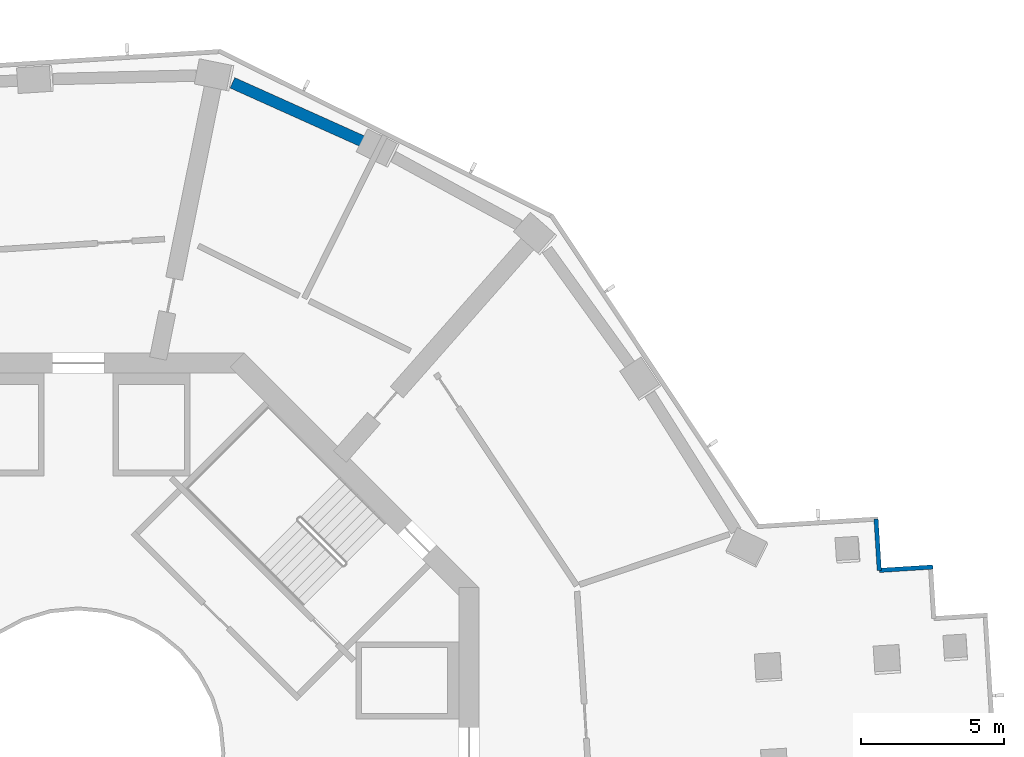
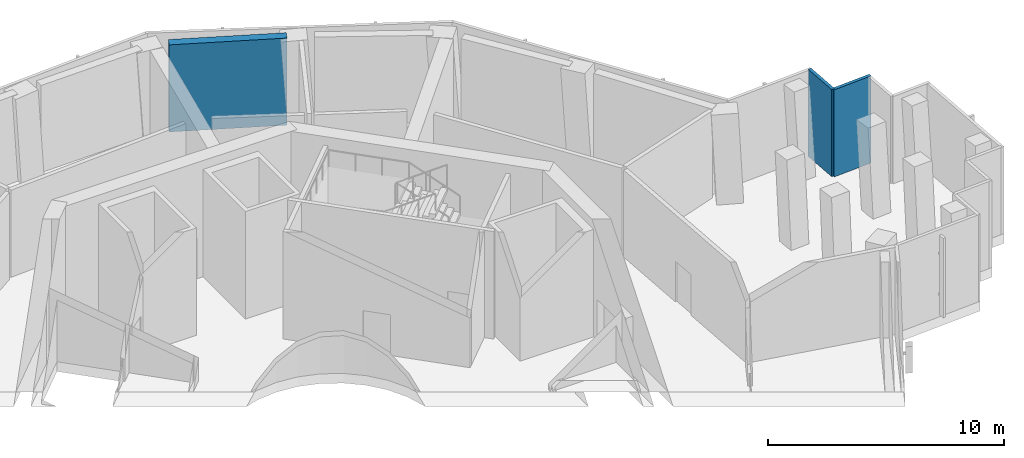
# One storey, part 5 of 16: 3 walls.
"""IFC4 building model written with IfcOpenShell, lengths in metres."""

from ifc_helpers import new_model, si_unit, direction, frame, frame_2d, origin, place, context, subcontext, project, spatial, rectangle, extrude, material, layer, layer_set, type_object, element, save


model = new_model("IFC4")

# Units and contexts
model_context = context("Model", 3, precision=1e-05, world=origin(), true_north=direction((0.0, 1.0)))
body_context = subcontext(model_context, "Body", "Model", "MODEL_VIEW")
ifc_project = project(units=[si_unit("LENGTHUNIT", "METRE"), si_unit("AREAUNIT", "SQUARE_METRE"), si_unit("VOLUMEUNIT", "CUBIC_METRE"), si_unit("PLANEANGLEUNIT", "RADIAN"), si_unit("MASSUNIT", "GRAM", prefix="KILO")], contexts=[model_context])

# Site, building, storey
site_placement = place(None, origin())
site = spatial("IfcSite", under=ifc_project, at=site_placement, CompositionType="ELEMENT")
building_placement = place(site_placement, origin())
building = spatial("IfcBuilding", under=site, at=building_placement, Name="Verdalira Terraces Hotel", CompositionType="ELEMENT")
storey_placement = place(building_placement, frame((0.0, 0.0, 169.0)))
storey = spatial("IfcBuildingStorey", under=building, at=storey_placement, Name="L41", CompositionType="ELEMENT", Elevation=169.0)

# Walls
ifc_material_1 = material(Name="Concrete C70", Category="concrete")
ifc_layer_1 = layer(ifc_material_1, 0.39990234375)
ifc_layer_set_1 = layer_set([ifc_layer_1], Name="Belt wall 400 C70")
wall_type_1 = type_object("IfcWallType", Name="Belt wall 400 C70", PredefinedType="SHEAR", material=ifc_layer_set_1)
wall_1_placement = place(storey_placement, frame((9.957275, 21.388916, 0.0), z_axis=(0.0, 0.0, 1.0), x_axis=(-0.912084522, 0.410002225, 0.0)))
element("IfcWall", 1, at=wall_1_placement, inside=storey, type_object=wall_type_1, Name="Belt wall BW-41-16", PredefinedType="SHEAR", context=body_context, shape_type="SweptSolid", body=[
    extrude(rectangle(XDim=5.013672, YDim=0.399902, at=frame_2d((2.506836, 0.0))), origin(), (0.0, 0.0, 1.0), 4.5),
])
ifc_material_2 = material(Name="Terracotta cladding", Category="masonry")
ifc_layer_2 = layer(ifc_material_2, 0.14990234375)
ifc_layer_set_2 = layer_set([ifc_layer_2], Name="Terracotta clad wall 150")
wall_type_2 = type_object("IfcWallType", Name="Terracotta clad wall 150", PredefinedType="SOLIDWALL", material=ifc_layer_set_2)
wall_2_placement = place(storey_placement, frame((29.874756, 6.513672, 0.0), z_axis=(0.0, 0.0, 1.0), x_axis=(-0.998028694, -0.062759273, 0.0)))
element("IfcWall", 2, at=wall_2_placement, inside=storey, type_object=wall_type_2, Name="Terracotta cladding wall", PredefinedType="SOLIDWALL", context=body_context, shape_type="SweptSolid", body=[
    extrude(rectangle(XDim=1.875, YDim=0.149902, at=frame_2d((0.9375, 0.0))), origin(), (0.0, 0.0, 1.0), 4.5),
])
wall_3_placement = place(storey_placement, frame((28.003418, 6.395996, 0.0), z_axis=(0.0, 0.0, 1.0), x_axis=(-0.062800501, 0.9980261, 0.0)))
element("IfcWall", 3, at=wall_3_placement, inside=storey, type_object=wall_type_2, Name="Terracotta cladding wall", PredefinedType="SOLIDWALL", context=body_context, shape_type="SweptSolid", body=[
    extrude(rectangle(XDim=1.800049, YDim=0.149902, at=frame_2d((0.899902, 0.0))), origin(), (0.0, 0.0, 1.0), 4.5),
])

save(model, "model.ifc")
